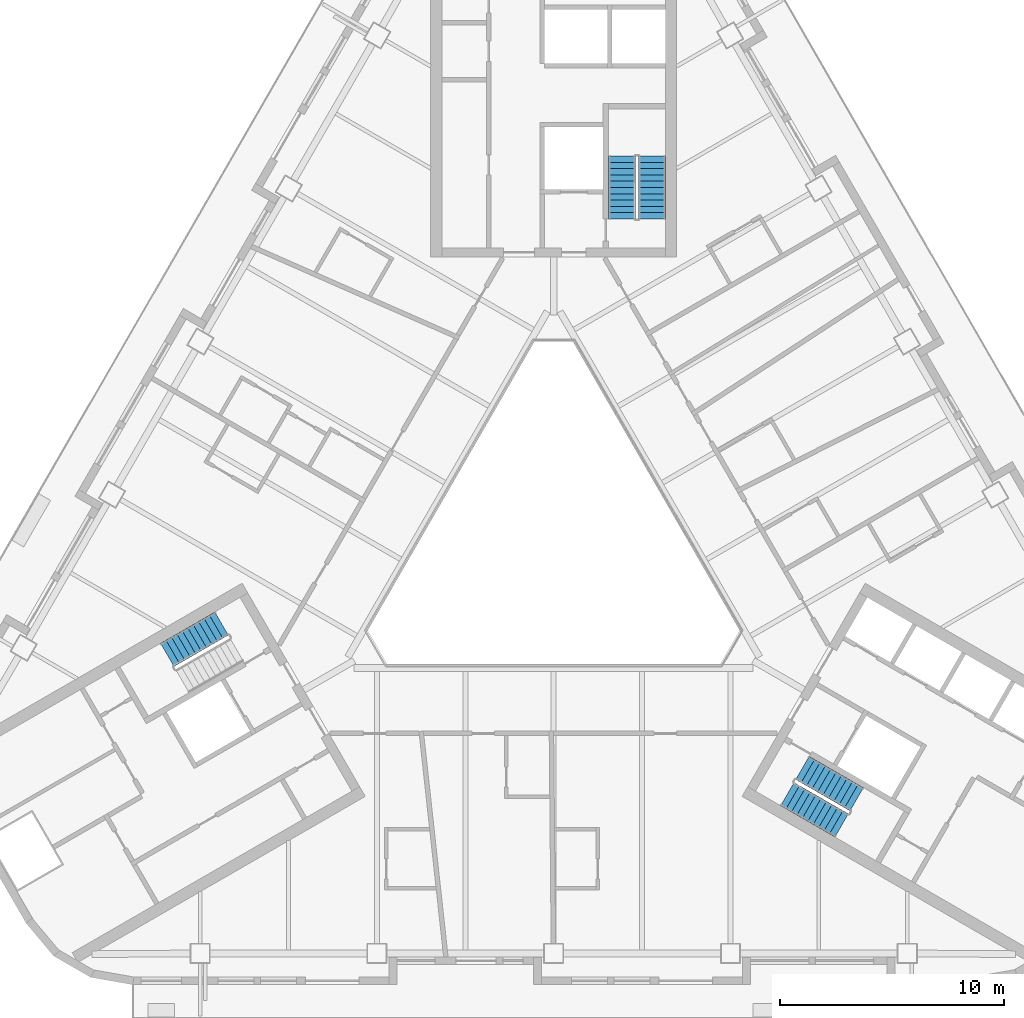
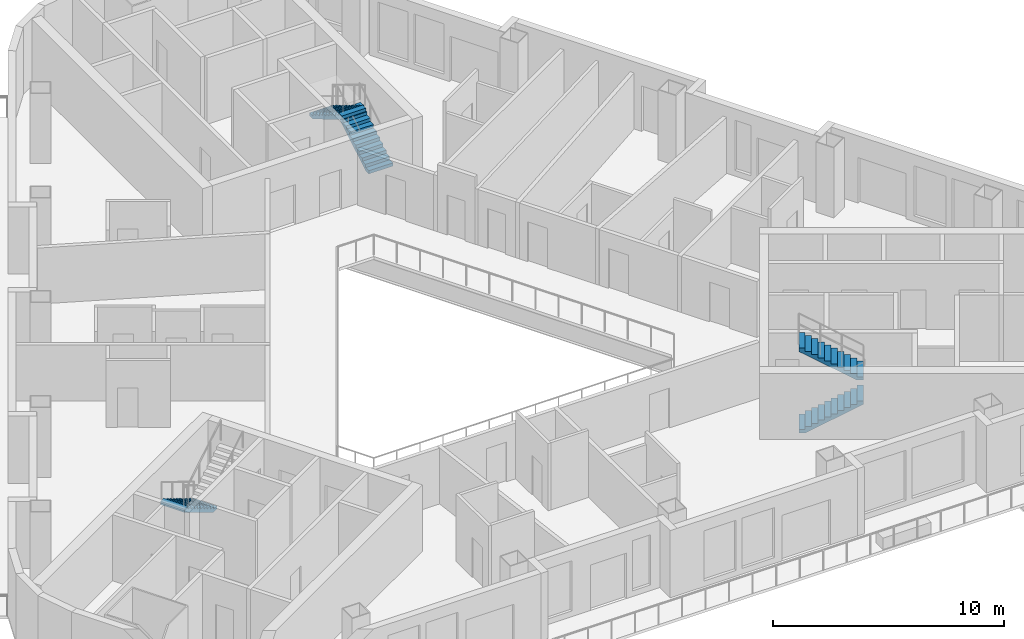
# One storey, part 8 of 14: 5 stair flights, 3 elements without a shape of their own.
"""IFC4 building model written with IfcOpenShell, lengths in metres."""

from ifc_helpers import new_model, si_unit, direction, frame, origin, place, context, subcontext, project, spatial, polyline, outline, extrude, material, type_object, element, aggregate, save


model = new_model("IFC4")

# Units and contexts
model_context = context("Model", 3, precision=1e-05, world=origin(), true_north=direction((0.0, 1.0)))
body_context = subcontext(model_context, "Body", "Model", "MODEL_VIEW")
ifc_project = project(units=[si_unit("LENGTHUNIT", "METRE"), si_unit("AREAUNIT", "SQUARE_METRE"), si_unit("VOLUMEUNIT", "CUBIC_METRE"), si_unit("PLANEANGLEUNIT", "RADIAN"), si_unit("MASSUNIT", "GRAM", prefix="KILO")], contexts=[model_context])

# Site, building, storey
site_placement = place(None, origin())
site = spatial("IfcSite", under=ifc_project, at=site_placement, CompositionType="ELEMENT")
building_placement = place(site_placement, origin())
building = spatial("IfcBuilding", under=site, at=building_placement, Name="Apuvela Tower Hotel", CompositionType="ELEMENT")
storey_placement = place(building_placement, frame((0.0, 0.0, 116.800048828125)))
storey = spatial("IfcBuildingStorey", under=building, at=storey_placement, Name="L27", CompositionType="ELEMENT", Elevation=116.800048828125)

# Stair, stair flights
ifc_material = material(Name="Concrete C50/60", Category="concrete")
stair_type = type_object("IfcStairType", Name="COR-STAIR-22R", PredefinedType="HALF_TURN_STAIR", material=ifc_material)
stair_1_placement = place(storey_placement, origin())
stair_1 = element("IfcStair", 1, at=stair_1_placement, inside=storey, type_object=stair_type, Name="L27 Exit stair ST1", PredefinedType="HALF_TURN_STAIR")
stair_flight_type = type_object("IfcStairFlightType", Name="COR-FLIGHT-11R", PredefinedType="STRAIGHT", material=ifc_material)
stair_flight_1_placement = place(storey_placement, frame((4.39990234375, 14.60009765625, 0.0), z_axis=(0.0, 0.0, 1.0), x_axis=(0.0, 1.0, 0.0)))
stair_flight_1 = element("IfcStairFlight", 2, at=stair_flight_1_placement, type_object=stair_flight_type, Name="ST1 flight 1", NumberOfRisers=11, NumberOfTreads=10, PredefinedType="STRAIGHT", RiserHeight=0.168181818, TreadLength=0.28, context=body_context, shape_type="SweptSolid", body=[
    extrude(outline(polyline([(0.0, 0.0), (0.0, 0.168212890625), (0.280029296875, 0.168212890625), (0.280029296875, 0.33642578125), (0.56005859375, 0.33642578125), (0.56005859375, 0.504638671875), (0.840087890625, 0.504638671875), (0.840087890625, 0.672607421875), (1.1201171875, 0.672607421875), (1.1201171875, 0.8408203125), (1.39990234375, 0.8408203125), (1.39990234375, 1.009033203125), (1.679931640625, 1.009033203125), (1.679931640625, 1.17724609375), (1.9599609375, 1.17724609375), (1.9599609375, 1.345458984375), (2.239990234375, 1.345458984375), (2.239990234375, 1.513671875), (2.52001953125, 1.513671875), (2.52001953125, 1.681884765625), (2.800048828125, 1.681884765625), (2.800048828125, 1.85009765625), (2.800048828125, 1.5068359375), (0.291015625, 0.0), (0.0, 0.0)])), frame((0.0, 0.60009765625, 0.0), z_axis=(0.0, -1.0, 0.0), x_axis=(1.0, 0.0, 0.0)), (0.0, 0.0, 1.0), 1.199951171875),
])
stair_flight_2_placement = place(storey_placement, frame((3.050048828125, 17.39990234375, 1.849853515625), z_axis=(0.0, 0.0, 1.0), x_axis=(0.0, -1.0, 0.0)))
stair_flight_2 = element("IfcStairFlight", 3, at=stair_flight_2_placement, type_object=stair_flight_type, Name="ST1 flight 2", NumberOfRisers=11, NumberOfTreads=10, PredefinedType="STRAIGHT", RiserHeight=0.168181818, TreadLength=0.28, context=body_context, shape_type="SweptSolid", body=[
    extrude(outline(polyline([(0.0, 0.0), (0.0, 0.168212890625), (0.280029296875, 0.168212890625), (0.280029296875, 0.33642578125), (0.56005859375, 0.33642578125), (0.56005859375, 0.504638671875), (0.840087890625, 0.504638671875), (0.840087890625, 0.672607421875), (1.1201171875, 0.672607421875), (1.1201171875, 0.8408203125), (1.39990234375, 0.8408203125), (1.39990234375, 1.009033203125), (1.679931640625, 1.009033203125), (1.679931640625, 1.17724609375), (1.9599609375, 1.17724609375), (1.9599609375, 1.345458984375), (2.239990234375, 1.345458984375), (2.239990234375, 1.513671875), (2.52001953125, 1.513671875), (2.52001953125, 1.681884765625), (2.800048828125, 1.681884765625), (2.800048828125, 1.85009765625), (2.800048828125, 1.5068359375), (0.291015625, 0.0), (0.0, 0.0)])), frame((0.0, 0.60009765625, 0.0), z_axis=(0.0, -1.0, 0.0), x_axis=(1.0, 0.0, 0.0)), (0.0, 0.0, 1.0), 1.199951171875),
])
aggregate(stair_1, [stair_flight_1, stair_flight_2])

# Stair, stair flight
stair_2_placement = place(storey_placement, origin())
stair_2 = element("IfcStair", 4, at=stair_2_placement, inside=storey, type_object=stair_type, Name="L27 Exit stair ST2", PredefinedType="HALF_TURN_STAIR")
stair_flight_3_placement = place(storey_placement, frame((-14.843994140625, -3.489501953125, 0.0), z_axis=(0.0, 0.0, 1.0), x_axis=(-0.866025403784, -0.5, 0.0)))
stair_flight_3 = element("IfcStairFlight", 5, at=stair_flight_3_placement, type_object=stair_flight_type, Name="ST2 flight 1", NumberOfRisers=11, NumberOfTreads=10, PredefinedType="STRAIGHT", RiserHeight=0.168181818, TreadLength=0.28, context=body_context, shape_type="SweptSolid", body=[
    extrude(outline(polyline([(0.0, 0.0), (0.0, 0.168212890625), (0.280029296875, 0.168212890625), (0.280029296875, 0.33642578125), (0.56005859375, 0.33642578125), (0.56005859375, 0.504638671875), (0.840087890625, 0.504638671875), (0.840087890625, 0.672607421875), (1.1201171875, 0.672607421875), (1.1201171875, 0.8408203125), (1.39990234375, 0.8408203125), (1.39990234375, 1.009033203125), (1.679931640625, 1.009033203125), (1.679931640625, 1.17724609375), (1.9599609375, 1.17724609375), (1.9599609375, 1.345458984375), (2.239990234375, 1.345458984375), (2.239990234375, 1.513671875), (2.52001953125, 1.513671875), (2.52001953125, 1.681884765625), (2.800048828125, 1.681884765625), (2.800048828125, 1.85009765625), (2.800048828125, 1.5068359375), (0.291015625, 0.0), (0.0, 0.0)])), frame((0.0, 0.60009765625, 0.0), z_axis=(0.0, -1.0, 0.0), x_axis=(1.0, 0.0, 0.0)), (0.0, 0.0, 1.0), 1.199951171875),
])
aggregate(stair_2, [stair_flight_3])

# Stair, stair flights
stair_3_placement = place(storey_placement, origin())
stair_3 = element("IfcStair", 6, at=stair_3_placement, inside=storey, type_object=stair_type, Name="L27 Exit stair ST3", PredefinedType="HALF_TURN_STAIR")
stair_flight_4_placement = place(storey_placement, frame((10.444091796875, -11.110595703125, 0.0), z_axis=(0.0, 0.0, 1.0), x_axis=(0.866025403784, -0.5, 0.0)))
stair_flight_4 = element("IfcStairFlight", 7, at=stair_flight_4_placement, type_object=stair_flight_type, Name="ST3 flight 1", NumberOfRisers=11, NumberOfTreads=10, PredefinedType="STRAIGHT", RiserHeight=0.168181818, TreadLength=0.28, context=body_context, shape_type="SweptSolid", body=[
    extrude(outline(polyline([(0.0, 0.0), (0.0, 0.168212890625), (0.280029296875, 0.168212890625), (0.280029296875, 0.33642578125), (0.56005859375, 0.33642578125), (0.56005859375, 0.504638671875), (0.840087890625, 0.504638671875), (0.840087890625, 0.672607421875), (1.1201171875, 0.672607421875), (1.1201171875, 0.8408203125), (1.39990234375, 0.8408203125), (1.39990234375, 1.009033203125), (1.679931640625, 1.009033203125), (1.679931640625, 1.17724609375), (1.9599609375, 1.17724609375), (1.9599609375, 1.345458984375), (2.239990234375, 1.345458984375), (2.239990234375, 1.513671875), (2.52001953125, 1.513671875), (2.52001953125, 1.681884765625), (2.800048828125, 1.681884765625), (2.800048828125, 1.85009765625), (2.800048828125, 1.5068359375), (0.291015625, 0.0), (0.0, 0.0)])), frame((0.0, 0.60009765625, 0.0), z_axis=(0.0, -1.0, 0.0), x_axis=(1.0, 0.0, 0.0)), (0.0, 0.0, 1.0), 1.199951171875),
])
stair_flight_5_placement = place(storey_placement, frame((13.5439453125, -11.34130859375, 1.849853515625), z_axis=(0.0, 0.0, 1.0), x_axis=(-0.866025403784, 0.5, 0.0)))
stair_flight_5 = element("IfcStairFlight", 8, at=stair_flight_5_placement, type_object=stair_flight_type, Name="ST3 flight 2", NumberOfRisers=11, NumberOfTreads=10, PredefinedType="STRAIGHT", RiserHeight=0.168181818, TreadLength=0.28, context=body_context, shape_type="SweptSolid", body=[
    extrude(outline(polyline([(0.0, 0.0), (0.0, 0.168212890625), (0.280029296875, 0.168212890625), (0.280029296875, 0.33642578125), (0.56005859375, 0.33642578125), (0.56005859375, 0.504638671875), (0.840087890625, 0.504638671875), (0.840087890625, 0.672607421875), (1.1201171875, 0.672607421875), (1.1201171875, 0.8408203125), (1.39990234375, 0.8408203125), (1.39990234375, 1.009033203125), (1.679931640625, 1.009033203125), (1.679931640625, 1.17724609375), (1.9599609375, 1.17724609375), (1.9599609375, 1.345458984375), (2.239990234375, 1.345458984375), (2.239990234375, 1.513671875), (2.52001953125, 1.513671875), (2.52001953125, 1.681884765625), (2.800048828125, 1.681884765625), (2.800048828125, 1.85009765625), (2.800048828125, 1.5068359375), (0.291015625, 0.0), (0.0, 0.0)])), frame((0.0, 0.60009765625, 0.0), z_axis=(0.0, -1.0, 0.0), x_axis=(1.0, 0.0, 0.0)), (0.0, 0.0, 1.0), 1.199951171875),
])
aggregate(stair_3, [stair_flight_4, stair_flight_5])

save(model, "model.ifc")
